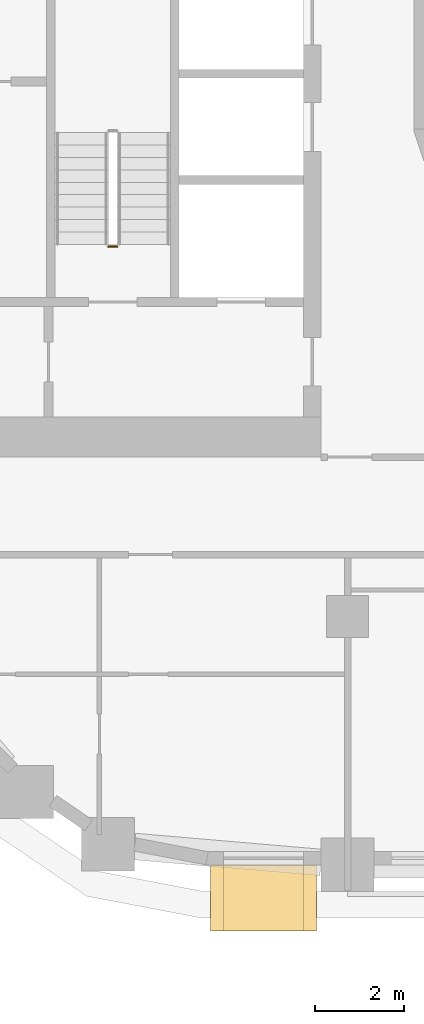
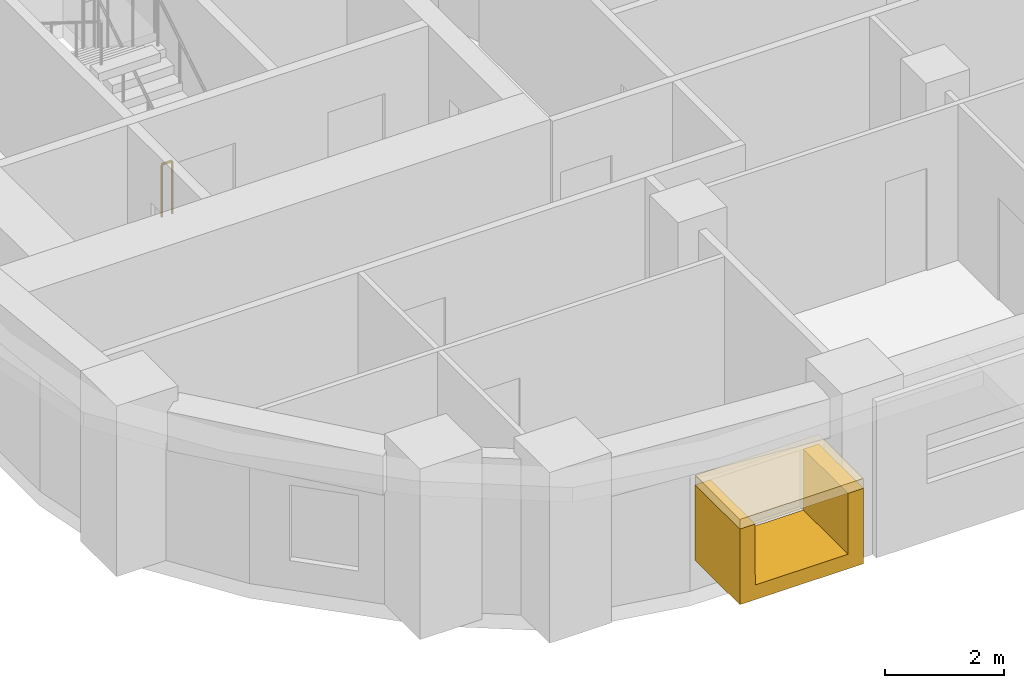
# One storey, part 13 of 23: 2 coverings, 1 railing.
"""IFC4 building model written with IfcOpenShell, lengths in metres."""

from ifc_helpers import new_model, si_unit, direction, frame, origin, origin_2d, place, context, subcontext, project, spatial, polyline, rectangle, circle, outline, extrude, material, layer, layer_set, type_object, element, save


model = new_model("IFC4")

# Units and contexts
model_context = context("Model", 3, precision=1e-05, world=origin(), true_north=direction((0.0, 1.0)))
body_context = subcontext(model_context, "Body", "Model", "MODEL_VIEW")
ifc_project = project(units=[si_unit("LENGTHUNIT", "METRE"), si_unit("AREAUNIT", "SQUARE_METRE"), si_unit("VOLUMEUNIT", "CUBIC_METRE"), si_unit("PLANEANGLEUNIT", "RADIAN"), si_unit("MASSUNIT", "GRAM", prefix="KILO")], contexts=[model_context])

# Site, building, storey
site_placement = place(None, origin())
site = spatial("IfcSite", under=ifc_project, at=site_placement, CompositionType="ELEMENT")
building_placement = place(site_placement, origin())
building = spatial("IfcBuilding", under=site, at=building_placement, Name="Kiln Ring Residences", CompositionType="ELEMENT")
storey_placement = place(building_placement, frame((0.0, 0.0, 118.300048828125)))
storey = spatial("IfcBuildingStorey", under=building, at=storey_placement, Name="L30", CompositionType="ELEMENT", Elevation=118.300048828125)

# Railing
ifc_material_1 = material(Name="Stainless steel", Category="steel")
railing_type = type_object("IfcRailingType", Name="CORE-STAIR-GUARD", PredefinedType="GUARDRAIL", material=ifc_material_1)
railing_placement = place(storey_placement, frame((-22.0, -8.449951171875, 0.0)))
element("IfcRailing", 1, at=railing_placement, inside=storey, type_object=railing_type, Name="L30 W-STS stair guard 4", PredefinedType="GUARDRAIL", context=body_context, shape_type="SweptSolid", body=[
    extrude(circle(Radius=0.02392578125, at=origin_2d()), frame((0.0, 0.0, 1.076171875), z_axis=(-1.0, 0.0, 0.0), x_axis=(0.0, -1.0, 0.0)), (0.0, 0.0, 1.0), 0.199951171875),
    extrude(circle(Radius=0.02099609375, at=origin_2d()), origin(), (0.0, 0.0, 1.0), 1.052001953125),
    extrude(circle(Radius=0.02099609375, at=origin_2d()), frame((-0.199951171875, 0.0, 0.0)), (0.0, 0.0, 1.0), 1.052001953125),
])

# Coverings
ifc_material_2 = material(Name="Brick masonry, dark clay brick", Category="masonry")
ifc_layer_1 = layer(ifc_material_2, 0.300048828125)
ifc_layer_set_1 = layer_set([ifc_layer_1], Name="FRAME CHEEKS AND SILL 1500")
covering_type_1 = type_object("IfcCoveringType", Name="FRAME CHEEKS AND SILL 1500", PredefinedType="CLADDING", material=ifc_layer_set_1)
covering_1_placement = place(storey_placement, frame((-19.89990234375, -23.14990234375, 0.599853515625), z_axis=(0.0, 0.0, 1.0), x_axis=(1.0, 0.0, 0.0)))
element("IfcCovering", 2, at=covering_1_placement, inside=storey, type_object=covering_type_1, Name="FRAME L30", PredefinedType="CLADDING", context=body_context, shape_type="SweptSolid", body=[
    extrude(outline(polyline([(0.0, 0.0), (2.39990234375, 0.0), (2.39990234375, 1.550048828125), (2.10107421875, 1.550048828125), (2.10009765625, 0.300048828125), (0.300048828125, 0.300048828125), (0.299072265625, 1.550048828125), (0.0, 1.550048828125), (0.0, 0.0)])), frame((0.0, 0.75, 0.0), z_axis=(0.0, -1.0, 0.0), x_axis=(1.0, 0.0, 0.0)), (0.0, 0.0, 1.0), 1.5),
])
ifc_material_3 = material(Name="Brick masonry, dark clay brick", Category="masonry")
ifc_layer_2 = layer(ifc_material_3, 0.199951171875)
ifc_layer_set_2 = layer_set([ifc_layer_2], Name="FRAME HEAD 1500")
covering_type_2 = type_object("IfcCoveringType", Name="FRAME HEAD 1500", PredefinedType="CLADDING", material=ifc_layer_set_2)
covering_2_placement = place(storey_placement, frame((-18.699951171875, -23.14990234375, 2.14990234375), z_axis=(0.0, 0.0, 1.0), x_axis=(1.0, 0.0, 0.0)))
element("IfcCovering", 3, at=covering_2_placement, inside=storey, type_object=covering_type_2, Name="FRAME HEAD L30", PredefinedType="CLADDING", context=body_context, shape_type="SweptSolid", body=[
    extrude(rectangle(XDim=2.39990234375, YDim=1.5, at=origin_2d()), origin(), (0.0, 0.0, 1.0), 0.199951171875),
])

save(model, "model.ifc")
